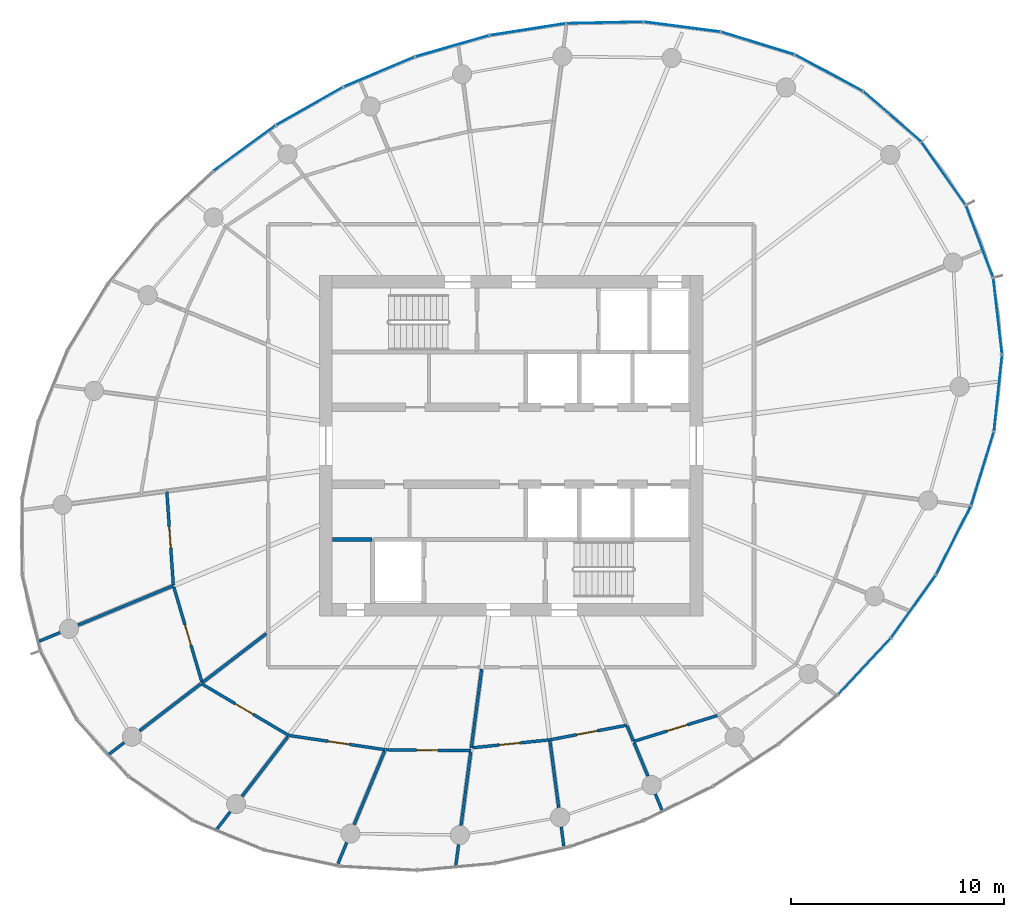
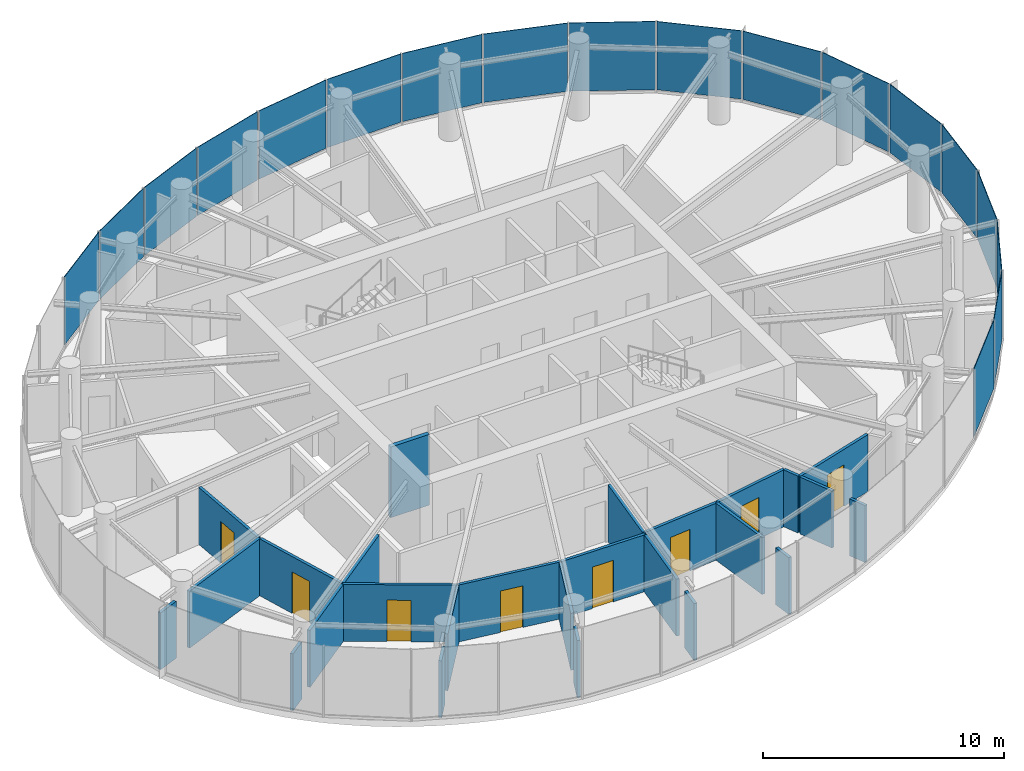
# One storey, part 8 of 13: 26 walls, 18 plates, 8 doors, 8 openings, 3 elements without a shape of their own.
"""IFC4 building model written with IfcOpenShell, lengths in metres."""

from ifc_helpers import new_model, si_unit, direction, frame, frame_2d, origin, origin_2d, place, context, subcontext, project, spatial, rectangle, extrude, source, transform, mapped, material, layer, layer_set, type_object, element, fill, aggregate, save


model = new_model("IFC4")

# Units and contexts
model_context = context("Model", 3, precision=1e-05, world=origin(), true_north=direction((0.0, 1.0)))
body_context = subcontext(model_context, "Body", "Model", "MODEL_VIEW")
ifc_project = project(units=[si_unit("LENGTHUNIT", "METRE"), si_unit("AREAUNIT", "SQUARE_METRE"), si_unit("VOLUMEUNIT", "CUBIC_METRE"), si_unit("PLANEANGLEUNIT", "RADIAN"), si_unit("MASSUNIT", "GRAM", prefix="KILO")], contexts=[model_context])

# Site, building, storey
site_placement = place(None, origin())
site = spatial("IfcSite", under=ifc_project, at=site_placement, CompositionType="ELEMENT")
building_placement = place(site_placement, origin())
building = spatial("IfcBuilding", under=site, at=building_placement, Name="Spindrift Exchange Tower", CompositionType="ELEMENT")
storey_placement = place(building_placement, frame((0.0, 0.0, 222.800048828125)))
storey = spatial("IfcBuildingStorey", under=building, at=storey_placement, Name="L54", CompositionType="ELEMENT", Elevation=222.800048828125)

# Curtain wall, plates
ifc_material_1 = material(Name="Fritted laminated glass with bronze frame", Category="glass")
ifc_layer_1 = layer(ifc_material_1, 0.169921875)
ifc_layer_set_1 = layer_set([ifc_layer_1], Name="ZONE 4 BRONZE FRITTED WALL")
curtain_wall_type = type_object("IfcCurtainWallType", Name="ZONE 4 BRONZE FRITTED WALL", PredefinedType="NOTDEFINED", material=ifc_layer_set_1)
curtain_wall_1_placement = place(storey_placement, origin())
curtain_wall_1 = element("IfcCurtainWall", 1, at=curtain_wall_1_placement, inside=storey, type_object=curtain_wall_type, Name="L54 Zone 4 Bronze Fritted Wall run 2", PredefinedType="NOTDEFINED")
ifc_material_2 = material(Name="Bronze fritted laminated glass, open frit", Category="glass")
ifc_layer_2 = layer(ifc_material_2, 0.030029296875)
ifc_layer_set_2 = layer_set([ifc_layer_2], Name="ZONE 4 BRONZE FRITTED WALL PANEL OPEN FRIT 360")
plate_type_1 = type_object("IfcPlateType", Name="ZONE 4 BRONZE FRITTED WALL PANEL OPEN FRIT 360", PredefinedType="CURTAIN_PANEL", material=ifc_layer_set_2)
shared_shape_1 = source(origin(), body_context, "Body", "SweptSolid", [
    extrude(rectangle(XDim=3.57763671875, YDim=0.030029296875, at=origin_2d()), origin(), (0.0, 0.0, 1.0), 3.455078125),
])
plate_1_placement = place(storey_placement, frame((49.23291015625, 66.762939453125, 0.125), z_axis=(0.0, 0.0, 1.0), x_axis=(-0.961045879195, -0.276388889215, 0.0)))
plate_1 = element("IfcPlate", 2, at=plate_1_placement, type_object=plate_type_1, Name="L54 panel CW-4.8", PredefinedType="CURTAIN_PANEL", context=body_context, shape_type="MappedRepresentation", body=[
    mapped(shared_shape_1, transform((0.0, 0.0, 0.0), scale=1.0)),
])
plate_2_placement = place(storey_placement, frame((39.487060546875, 61.972412109375, 0.125), z_axis=(0.0, 0.0, 1.0), x_axis=(-0.80649517079, -0.591240678145, 0.0)))
plate_2 = element("IfcPlate", 3, at=plate_2_placement, type_object=plate_type_1, Name="L54 panel CW-4.11", PredefinedType="CURTAIN_PANEL", context=body_context, shape_type="MappedRepresentation", body=[
    mapped(shared_shape_1, transform((0.0, 0.0, 0.0), scale=1.0)),
])
ifc_layer_3 = layer(ifc_material_2, 0.030029296875)
ifc_layer_set_3 = layer_set([ifc_layer_3], Name="ZONE 4 BRONZE FRITTED WALL PANEL OPEN FRIT 480")
plate_type_2 = type_object("IfcPlateType", Name="ZONE 4 BRONZE FRITTED WALL PANEL OPEN FRIT 480", PredefinedType="CURTAIN_PANEL", material=ifc_layer_set_3)
shared_shape_2 = source(origin(), body_context, "Body", "SweptSolid", [
    extrude(rectangle(XDim=3.577880859375, YDim=0.030029296875, at=origin_2d()), origin(), (0.0, 0.0, 1.0), 3.455078125),
])
plate_3_placement = place(storey_placement, frame((45.80419921875, 65.552001953125, 0.125), z_axis=(0.0, 0.0, 1.0), x_axis=(-0.921473112657, -0.388442148397, 0.0)))
plate_3 = element("IfcPlate", 4, at=plate_3_placement, type_object=plate_type_2, Name="L54 panel CW-4.9", PredefinedType="CURTAIN_PANEL", context=body_context, shape_type="MappedRepresentation", body=[
    mapped(shared_shape_2, transform((0.0, 0.0, 0.0), scale=1.0)),
])
plate_4_placement = place(storey_placement, frame((42.541015625, 63.94677734375, 0.125), z_axis=(0.0, 0.0, 1.0), x_axis=(-0.87011236791, -0.492853393222, 0.0)))
plate_4 = element("IfcPlate", 5, at=plate_4_placement, type_object=plate_type_2, Name="L54 panel CW-4.10", PredefinedType="CURTAIN_PANEL", context=body_context, shape_type="MappedRepresentation", body=[
    mapped(shared_shape_2, transform((0.0, 0.0, 0.0), scale=1.0)),
])
shared_shape_3 = source(origin(), body_context, "Body", "SweptSolid", [
    extrude(rectangle(XDim=3.577392578125, YDim=0.030029296875, at=origin_2d()), origin(), (0.0, 0.0, 1.0), 3.455078125),
])
plate_5_placement = place(storey_placement, frame((52.782470703125, 67.5478515625, 0.125), z_axis=(0.0, 0.0, 1.0), x_axis=(-0.987981997338, -0.154568990865, 0.0)))
plate_5 = element("IfcPlate", 6, at=plate_5_placement, type_object=plate_type_2, Name="L54 panel CW-4.7", PredefinedType="CURTAIN_PANEL", context=body_context, shape_type="MappedRepresentation", body=[
    mapped(shared_shape_3, transform((0.0, 0.0, 0.0), scale=1.0)),
])
aggregate(curtain_wall_1, [plate_5, plate_1, plate_3, plate_4, plate_2])

# Curtain wall, plate
curtain_wall_2_placement = place(storey_placement, origin())
curtain_wall_2 = element("IfcCurtainWall", 7, at=curtain_wall_2_placement, inside=storey, type_object=curtain_wall_type, Name="L54 Zone 4 Bronze Fritted Wall run 6", PredefinedType="NOTDEFINED")
plate_6_placement = place(storey_placement, frame((68.59423828125, 37.638427734375, 0.125), z_axis=(0.0, 0.0, 1.0), x_axis=(0.684108041714, 0.729380687476, 0.0)))
plate_6 = element("IfcPlate", 8, at=plate_6_placement, type_object=plate_type_2, Name="L54 panel CW-4.31", PredefinedType="CURTAIN_PANEL", context=body_context, shape_type="MappedRepresentation", body=[
    mapped(shared_shape_3, transform((0.0, 0.0, 0.0), scale=1.0)),
])

curtain_wall_3_placement = place(storey_placement, origin())
curtain_wall_3 = element("IfcCurtainWall", 9, at=curtain_wall_3_placement, inside=storey, type_object=curtain_wall_type, Name="L54 Zone 4 Bronze Fritted Wall run 1", PredefinedType="NOTDEFINED")
ifc_layer_4 = layer(ifc_material_2, 0.030029296875)
ifc_layer_set_4 = layer_set([ifc_layer_4], Name="ZONE 4 BRONZE FRITTED WALL PANEL OPEN FRIT 600")
plate_type_3 = type_object("IfcPlateType", Name="ZONE 4 BRONZE FRITTED WALL PANEL OPEN FRIT 600", PredefinedType="CURTAIN_PANEL", material=ifc_layer_set_4)
shared_shape_4 = source(origin(), body_context, "Body", "SweptSolid", [
    extrude(rectangle(XDim=3.5703125, YDim=0.030029296875, at=origin_2d()), origin(), (0.0, 0.0, 1.0), 3.455078125),
])
plate_7_placement = place(storey_placement, frame((72.313720703125, 60.7783203125, 0.125), z_axis=(0.0, 0.0, 1.0), x_axis=(-0.575297943062, 0.817943932497, 0.0)))
plate_7 = element("IfcPlate", 10, at=plate_7_placement, type_object=plate_type_3, Name="L54 panel CW-4.1", PredefinedType="CURTAIN_PANEL", context=body_context, shape_type="MappedRepresentation", body=[
    mapped(shared_shape_4, transform((0.0, 0.0, 0.0), scale=1.0)),
])

# Plate
plate_8_placement = place(storey_placement, frame((73.999267578125, 57.59033203125, 0.125), z_axis=(0.0, 0.0, 1.0), x_axis=(-0.351949472388, 0.93601900028, 0.0)))
plate_8 = element("IfcPlate", 11, at=plate_8_placement, type_object=plate_type_3, Name="L54 panel CW-4.37", PredefinedType="CURTAIN_PANEL", context=body_context, shape_type="MappedRepresentation", body=[
    mapped(shared_shape_4, transform((0.0, 0.0, 0.0), scale=1.0)),
])

shared_shape_5 = source(origin(), body_context, "Body", "SweptSolid", [
    extrude(rectangle(XDim=3.5732421875, YDim=0.030029296875, at=origin_2d()), origin(), (0.0, 0.0, 1.0), 3.455078125),
])
plate_9_placement = place(storey_placement, frame((66.916015625, 65.505615234375, 0.125), z_axis=(0.0, 0.0, 1.0), x_axis=(-0.881229213092, 0.472689193861, 0.0)))
plate_9 = element("IfcPlate", 12, at=plate_9_placement, type_object=plate_type_2, Name="L54 panel CW-4.3", PredefinedType="CURTAIN_PANEL", context=body_context, shape_type="MappedRepresentation", body=[
    mapped(shared_shape_5, transform((0.0, 0.0, 0.0), scale=1.0)),
])

shared_shape_6 = source(origin(), body_context, "Body", "SweptSolid", [
    extrude(rectangle(XDim=3.574951171875, YDim=0.030029296875, at=origin_2d()), origin(), (0.0, 0.0, 1.0), 3.455078125),
])
plate_10_placement = place(storey_placement, frame((63.5732421875, 66.900390625, 0.125), z_axis=(0.0, 0.0, 1.0), x_axis=(-0.955850474621, 0.293853484183, 0.0)))
plate_10 = element("IfcPlate", 13, at=plate_10_placement, type_object=plate_type_1, Name="L54 panel CW-4.4", PredefinedType="CURTAIN_PANEL", context=body_context, shape_type="MappedRepresentation", body=[
    mapped(shared_shape_6, transform((0.0, 0.0, 0.0), scale=1.0)),
])

plate_11_placement = place(storey_placement, frame((74.135986328125, 46.920166015625, 0.125), z_axis=(0.0, 0.0, 1.0), x_axis=(0.295472955279, 0.955351104411, 0.0)))
plate_11 = element("IfcPlate", 14, at=plate_11_placement, type_object=plate_type_1, Name="L54 panel CW-4.34", PredefinedType="CURTAIN_PANEL", context=body_context, shape_type="MappedRepresentation", body=[
    mapped(shared_shape_6, transform((0.0, 0.0, 0.0), scale=1.0)),
])

shared_shape_7 = source(origin(), body_context, "Body", "SweptSolid", [
    extrude(rectangle(XDim=3.576171875, YDim=0.030029296875, at=origin_2d()), origin(), (0.0, 0.0, 1.0), 3.455078125),
])
plate_12_placement = place(storey_placement, frame((60.0283203125, 67.66943359375, 0.125), z_axis=(0.0, 0.0, 1.0), x_axis=(-0.99169093227, 0.128643285302, 0.0)))
plate_12 = element("IfcPlate", 15, at=plate_12_placement, type_object=plate_type_3, Name="L54 panel CW-4.5", PredefinedType="CURTAIN_PANEL", context=body_context, shape_type="MappedRepresentation", body=[
    mapped(shared_shape_7, transform((0.0, 0.0, 0.0), scale=1.0)),
])

shared_shape_8 = source(origin(), body_context, "Body", "SweptSolid", [
    extrude(rectangle(XDim=3.576904296875, YDim=0.030029296875, at=origin_2d()), origin(), (0.0, 0.0, 1.0), 3.455078125),
])
plate_13_placement = place(storey_placement, frame((56.40234375, 67.866455078125, 0.125), z_axis=(0.0, 0.0, 1.0), x_axis=(-0.999791868077, -0.020401483438, 0.0)))
plate_13 = element("IfcPlate", 16, at=plate_13_placement, type_object=plate_type_3, Name="L54 panel CW-4.6", PredefinedType="CURTAIN_PANEL", context=body_context, shape_type="MappedRepresentation", body=[
    mapped(shared_shape_8, transform((0.0, 0.0, 0.0), scale=1.0)),
])

shared_shape_9 = source(origin(), body_context, "Body", "SweptSolid", [
    extrude(rectangle(XDim=3.576904296875, YDim=0.030029296875, at=origin_2d()), origin(), (0.0, 0.0, 1.0), 3.455078125),
])
plate_14_placement = place(storey_placement, frame((70.89599609375, 40.4501953125, 0.125), z_axis=(0.0, 0.0, 1.0), x_axis=(0.579862895254, 0.814714074205, 0.0)))
plate_14 = element("IfcPlate", 17, at=plate_14_placement, type_object=plate_type_2, Name="L54 panel CW-4.32", PredefinedType="CURTAIN_PANEL", context=body_context, shape_type="MappedRepresentation", body=[
    mapped(shared_shape_9, transform((0.0, 0.0, 0.0), scale=1.0)),
])

shared_shape_10 = source(origin(), body_context, "Body", "SweptSolid", [
    extrude(rectangle(XDim=3.571533203125, YDim=0.030029296875, at=origin_2d()), origin(), (0.0, 0.0, 1.0), 3.455078125),
])
plate_15_placement = place(storey_placement, frame((69.8935546875, 63.45556640625, 0.125), z_axis=(0.0, 0.0, 1.0), x_axis=(-0.75594259575, 0.654637909023, 0.0)))
plate_15 = element("IfcPlate", 18, at=plate_15_placement, type_object=plate_type_3, Name="L54 panel CW-4.2", PredefinedType="CURTAIN_PANEL", context=body_context, shape_type="MappedRepresentation", body=[
    mapped(shared_shape_10, transform((0.0, 0.0, 0.0), scale=1.0)),
])

aggregate(curtain_wall_3, [plate_7, plate_15, plate_9, plate_10, plate_12, plate_13])

plate_16_placement = place(storey_placement, frame((74.848388671875, 54.0830078125, 0.125), z_axis=(0.0, 0.0, 1.0), x_axis=(-0.115247488374, 0.993336809156, 0.0)))
plate_16 = element("IfcPlate", 19, at=plate_16_placement, type_object=plate_type_3, Name="L54 panel CW-4.36", PredefinedType="CURTAIN_PANEL", context=body_context, shape_type="MappedRepresentation", body=[
    mapped(shared_shape_10, transform((0.0, 0.0, 0.0), scale=1.0)),
])

shared_shape_11 = source(origin(), body_context, "Body", "SweptSolid", [
    extrude(rectangle(XDim=3.575927734375, YDim=0.030029296875, at=origin_2d()), origin(), (0.0, 0.0, 1.0), 3.455078125),
])
plate_17_placement = place(storey_placement, frame((72.77490234375, 43.5576171875, 0.125), z_axis=(0.0, 0.0, 1.0), x_axis=(0.452149850342, 0.891941989614, 0.0)))
plate_17 = element("IfcPlate", 20, at=plate_17_placement, type_object=plate_type_3, Name="L54 panel CW-4.33", PredefinedType="CURTAIN_PANEL", context=body_context, shape_type="MappedRepresentation", body=[
    mapped(shared_shape_11, transform((0.0, 0.0, 0.0), scale=1.0)),
])

shared_shape_12 = source(origin(), body_context, "Body", "SweptSolid", [
    extrude(rectangle(XDim=3.573486328125, YDim=0.030029296875, at=origin_2d()), origin(), (0.0, 0.0, 1.0), 3.455078125),
])
plate_18_placement = place(storey_placement, frame((74.86572265625, 50.4677734375, 0.125), z_axis=(0.0, 0.0, 1.0), x_axis=(0.105625404929, 0.994405990445, 0.0)))
plate_18 = element("IfcPlate", 21, at=plate_18_placement, type_object=plate_type_2, Name="L54 panel CW-4.35", PredefinedType="CURTAIN_PANEL", context=body_context, shape_type="MappedRepresentation", body=[
    mapped(shared_shape_12, transform((0.0, 0.0, 0.0), scale=1.0)),
])

aggregate(curtain_wall_2, [plate_6, plate_14, plate_17, plate_11, plate_18, plate_16, plate_8])

# Wall
ifc_material_3 = material(Name="Fire-rated plasterboard partition", Category="gypsum")
ifc_layer_5 = layer(ifc_material_3, 0.139892578125)
ifc_layer_set_5 = layer_set([ifc_layer_5], Name="W-PART-140")
wall_type_1 = type_object("IfcWallType", Name="W-PART-140", PredefinedType="PARTITIONING", material=ifc_layer_set_5)
wall_1_placement = place(storey_placement, frame((36.14453125, 41.4326171875, 0.0), z_axis=(0.0, 0.0, 1.0), x_axis=(-0.92386639671, -0.382715143454, 0.0)))
element("IfcWall", 22, at=wall_1_placement, inside=storey, type_object=wall_type_1, Name="L54 Partition wall 34", PredefinedType="PARTITIONING", context=body_context, shape_type="SweptSolid", body=[
    extrude(rectangle(XDim=4.84619140625, YDim=0.139892578125, at=frame_2d((2.423095703125, 0.0))), origin(), (0.0, 0.0, 1.0), 2.8798828125),
])

# Wall, opening, door
wall_2_placement = place(storey_placement, frame((41.563232421875, 34.398681640625, 0.0), z_axis=(0.0, 0.0, 1.0), x_axis=(-0.860189471965, 0.509974580072, 0.0)))
wall_2 = element("IfcWall", 23, at=wall_2_placement, inside=storey, type_object=wall_type_1, Name="L54 Partition wall 36", PredefinedType="PARTITIONING", context=body_context, shape_type="SweptSolid", body=[
    extrude(rectangle(XDim=4.780029296875, YDim=0.139892578125, at=frame_2d((2.39013671875, 0.0))), origin(), (0.0, 0.0, 1.0), 2.8798828125),
])
opening_1_placement = place(wall_2_placement, frame((1.930419921875, 0.0, 0.0)))
opening_1 = element("IfcOpeningElement", 24, at=opening_1_placement, cuts=wall_2, Name="Opening L54-D28", PredefinedType="OPENING", context=body_context, shape_type="SweptSolid", body=[
    extrude(rectangle(XDim=1.0, YDim=2.10009765625, at=frame_2d((0.5, 1.050048828125))), frame((0.0, 0.079833984375, 0.0), z_axis=(0.0, -1.0, 0.0), x_axis=(1.0, 0.0, 0.0)), (0.0, 0.0, 1.0), 0.159912109375),
])
ifc_material_4 = material(Name="Timber-core fire door", Category="wood")
door_type = type_object("IfcDoorType", Name="DR-ROOM-1000", OperationType="NOTDEFINED", PredefinedType="DOOR", material=ifc_material_4)
shared_shape_13 = source(origin(), body_context, "Body", "SweptSolid", [
    extrude(rectangle(XDim=1.0, YDim=2.10009765625, at=frame_2d((0.5, 1.050048828125))), frame((0.0, 0.02490234375, 0.0), z_axis=(0.0, -1.0, 0.0), x_axis=(1.0, 0.0, 0.0)), (0.0, 0.0, 1.0), 0.050048828125),
])
door_1_placement = place(opening_1_placement, origin())
door_1 = element("IfcDoor", 25, at=door_1_placement, inside=storey, type_object=door_type, Name="L54 Door 28", OperationType="SINGLE_SWING_RIGHT", OverallHeight=2.10009765625, OverallWidth=1.0, PredefinedType="DOOR", context=body_context, shape_type="MappedRepresentation", body=[
    mapped(shared_shape_13, transform((0.0, 0.0, 0.0), scale=1.0)),
])
fill(opening_1, door_1)

wall_3_placement = place(storey_placement, frame((37.48583984375, 36.894775390625, 0.0), z_axis=(0.0, 0.0, 1.0), x_axis=(-0.283453427103, 0.958986003372, 0.0)))
wall_3 = element("IfcWall", 26, at=wall_3_placement, inside=storey, type_object=wall_type_1, Name="L54 Partition wall 37", PredefinedType="PARTITIONING", context=body_context, shape_type="SweptSolid", body=[
    extrude(rectangle(XDim=4.661376953125, YDim=0.139892578125, at=frame_2d((2.33056640625, 0.0))), origin(), (0.0, 0.0, 1.0), 2.8798828125),
])
opening_2_placement = place(wall_3_placement, frame((1.8115234375, 0.0, 0.0)))
opening_2 = element("IfcOpeningElement", 27, at=opening_2_placement, cuts=wall_3, Name="Opening L54-D26", PredefinedType="OPENING", context=body_context, shape_type="SweptSolid", body=[
    extrude(rectangle(XDim=1.0, YDim=2.10009765625, at=frame_2d((0.5, 1.050048828125))), frame((0.0, 0.079833984375, 0.0), z_axis=(0.0, -1.0, 0.0), x_axis=(1.0, 0.0, 0.0)), (0.0, 0.0, 1.0), 0.159912109375),
])
door_2_placement = place(opening_2_placement, origin())
door_2 = element("IfcDoor", 28, at=door_2_placement, inside=storey, type_object=door_type, Name="L54 Door 26", OperationType="SINGLE_SWING_RIGHT", OverallHeight=2.10009765625, OverallWidth=1.0, PredefinedType="DOOR", context=body_context, shape_type="MappedRepresentation", body=[
    mapped(shared_shape_13, transform((0.0, 0.0, 0.0), scale=1.0)),
])
fill(opening_2, door_2)

wall_4_placement = place(storey_placement, frame((46.088623046875, 33.728515625, 0.0), z_axis=(0.0, 0.0, 1.0), x_axis=(-0.989211248642, 0.146496094007, 0.0)))
wall_4 = element("IfcWall", 29, at=wall_4_placement, inside=storey, type_object=wall_type_1, Name="L54 Partition wall 38", PredefinedType="PARTITIONING", context=body_context, shape_type="SweptSolid", body=[
    extrude(rectangle(XDim=4.544677734375, YDim=0.139892578125, at=frame_2d((2.2724609375, 0.0))), origin(), (0.0, 0.0, 1.0), 2.8798828125),
])
opening_3_placement = place(wall_4_placement, frame((1.694580078125, 0.0, 0.0)))
opening_3 = element("IfcOpeningElement", 30, at=opening_3_placement, cuts=wall_4, Name="Opening L54-D29", PredefinedType="OPENING", context=body_context, shape_type="SweptSolid", body=[
    extrude(rectangle(XDim=1.0, YDim=2.10009765625, at=frame_2d((0.5, 1.050048828125))), frame((0.0, 0.079833984375, 0.0), z_axis=(0.0, -1.0, 0.0), x_axis=(1.0, 0.0, 0.0)), (0.0, 0.0, 1.0), 0.159912109375),
])
door_3_placement = place(opening_3_placement, origin())
door_3 = element("IfcDoor", 31, at=door_3_placement, inside=storey, type_object=door_type, Name="L54 Door 29", OperationType="SINGLE_SWING_LEFT", OverallHeight=2.10009765625, OverallWidth=1.0, PredefinedType="DOOR", context=body_context, shape_type="MappedRepresentation", body=[
    mapped(shared_shape_13, transform((0.0, 0.0, 0.0), scale=1.0)),
])
fill(opening_3, door_3)

wall_5_placement = place(storey_placement, frame((36.142578125, 41.46240234375, 0.0), z_axis=(0.0, 0.0, 1.0), x_axis=(-0.069626577794, 0.997573124971, 0.0)))
wall_5 = element("IfcWall", 32, at=wall_5_placement, inside=storey, type_object=wall_type_1, Name="L54 Partition wall 40", PredefinedType="PARTITIONING", context=body_context, shape_type="SweptSolid", body=[
    extrude(rectangle(XDim=4.39013671875, YDim=0.139892578125, at=frame_2d((2.195068359375, 0.0))), origin(), (0.0, 0.0, 1.0), 2.8798828125),
])
opening_4_placement = place(wall_5_placement, frame((1.740234375, 0.0, 0.0)))
opening_4 = element("IfcOpeningElement", 33, at=opening_4_placement, cuts=wall_5, Name="Opening L54-D25", PredefinedType="OPENING", context=body_context, shape_type="SweptSolid", body=[
    extrude(rectangle(XDim=1.0, YDim=2.10009765625, at=frame_2d((0.5, 1.050048828125))), frame((0.0, 0.079833984375, 0.0), z_axis=(0.0, -1.0, 0.0), x_axis=(1.0, 0.0, 0.0)), (0.0, 0.0, 1.0), 0.159912109375),
])
door_4_placement = place(opening_4_placement, origin())
door_4 = element("IfcDoor", 34, at=door_4_placement, inside=storey, type_object=door_type, Name="L54 Door 25", OperationType="SINGLE_SWING_LEFT", OverallHeight=2.10009765625, OverallWidth=1.0, PredefinedType="DOOR", context=body_context, shape_type="MappedRepresentation", body=[
    mapped(shared_shape_13, transform((0.0, 0.0, 0.0), scale=1.0)),
])
fill(opening_4, door_4)

wall_6_placement = place(storey_placement, frame((61.683837890625, 35.33349609375, 0.0), z_axis=(0.0, 0.0, 1.0), x_axis=(-0.955326560437, -0.295552301503, 0.0)))
wall_6 = element("IfcWall", 35, at=wall_6_placement, inside=storey, type_object=wall_type_1, Name="L54 Partition wall 48", PredefinedType="PARTITIONING", context=body_context, shape_type="SweptSolid", body=[
    extrude(rectangle(XDim=4.116943359375, YDim=0.139892578125, at=frame_2d((2.05859375, 0.0))), origin(), (0.0, 0.0, 1.0), 2.8798828125),
])
opening_5_placement = place(wall_6_placement, frame((1.46728515625, 0.0, 0.0)))
opening_5 = element("IfcOpeningElement", 36, at=opening_5_placement, cuts=wall_6, Name="Opening L54-D35", PredefinedType="OPENING", context=body_context, shape_type="SweptSolid", body=[
    extrude(rectangle(XDim=1.0, YDim=2.10009765625, at=frame_2d((0.5, 1.050048828125))), frame((0.0, 0.079833984375, 0.0), z_axis=(0.0, -1.0, 0.0), x_axis=(1.0, 0.0, 0.0)), (0.0, 0.0, 1.0), 0.159912109375),
])
door_5_placement = place(opening_5_placement, origin())
door_5 = element("IfcDoor", 37, at=door_5_placement, inside=storey, type_object=door_type, Name="L54 Door 35", OperationType="SINGLE_SWING_LEFT", OverallHeight=2.10009765625, OverallWidth=1.0, PredefinedType="DOOR", context=body_context, shape_type="MappedRepresentation", body=[
    mapped(shared_shape_13, transform((0.0, 0.0, 0.0), scale=1.0)),
])
fill(opening_5, door_5)

wall_7_placement = place(storey_placement, frame((50.115478515625, 33.685791015625, 0.0), z_axis=(0.0, 0.0, 1.0), x_axis=(-0.999943521742, 0.010627950204, 0.0)))
wall_7 = element("IfcWall", 38, at=wall_7_placement, inside=storey, type_object=wall_type_1, Name="L54 Partition wall 50", PredefinedType="PARTITIONING", context=body_context, shape_type="SweptSolid", body=[
    extrude(rectangle(XDim=3.9970703125, YDim=0.139892578125, at=frame_2d((1.99853515625, 0.0))), origin(), (0.0, 0.0, 1.0), 2.8798828125),
])
opening_6_placement = place(wall_7_placement, frame((1.547119140625, 0.0, 0.0)))
opening_6 = element("IfcOpeningElement", 39, at=opening_6_placement, cuts=wall_7, Name="Opening L54-D30", PredefinedType="OPENING", context=body_context, shape_type="SweptSolid", body=[
    extrude(rectangle(XDim=1.0, YDim=2.10009765625, at=frame_2d((0.5, 1.050048828125))), frame((0.0, 0.079833984375, 0.0), z_axis=(0.0, -1.0, 0.0), x_axis=(1.0, 0.0, 0.0)), (0.0, 0.0, 1.0), 0.159912109375),
])
door_6_placement = place(opening_6_placement, origin())
door_6 = element("IfcDoor", 40, at=door_6_placement, inside=storey, type_object=door_type, Name="L54 Door 30", OperationType="SINGLE_SWING_RIGHT", OverallHeight=2.10009765625, OverallWidth=1.0, PredefinedType="DOOR", context=body_context, shape_type="MappedRepresentation", body=[
    mapped(shared_shape_13, transform((0.0, 0.0, 0.0), scale=1.0)),
])
fill(opening_6, door_6)

# Walls
wall_8_placement = place(storey_placement, frame((40.510009765625, 39.183349609375, 0.0), z_axis=(0.0, 0.0, 1.0), x_axis=(-0.793338419563, -0.608780873587, 0.0)))
element("IfcWall", 41, at=wall_8_placement, inside=storey, type_object=wall_type_1, Name="L54 Partition wall 52", PredefinedType="PARTITIONING", context=body_context, shape_type="SweptSolid", body=[
    extrude(rectangle(XDim=3.77001953125, YDim=0.139892578125, at=frame_2d((1.885009765625, 0.0))), origin(), (0.0, 0.0, 1.0), 2.8798828125),
])
wall_9_placement = place(storey_placement, frame((50.618896484375, 37.510009765625, 0.0), z_axis=(0.0, 0.0, 1.0), x_axis=(-0.130537532736, -0.991443368301, 0.0)))
element("IfcWall", 42, at=wall_9_placement, inside=storey, type_object=wall_type_1, Name="L54 Partition wall 54", PredefinedType="PARTITIONING", context=body_context, shape_type="SweptSolid", body=[
    extrude(rectangle(XDim=3.7275390625, YDim=0.139892578125, at=frame_2d((1.86376953125, 0.0))), origin(), (0.0, 0.0, 1.0), 2.8798828125),
])
wall_10_placement = place(storey_placement, frame((46.06103515625, 33.661865234375, 0.0), z_axis=(0.0, 0.0, 1.0), x_axis=(-0.382721202621, -0.923863886655, 0.0)))
element("IfcWall", 43, at=wall_10_placement, inside=storey, type_object=wall_type_1, Name="L54 Partition wall 55", PredefinedType="PARTITIONING", context=body_context, shape_type="SweptSolid", body=[
    extrude(rectangle(XDim=3.735595703125, YDim=0.139892578125, at=frame_2d((1.86767578125, 0.0))), origin(), (0.0, 0.0, 1.0), 2.8798828125),
])

# Wall, opening, door
wall_11_placement = place(storey_placement, frame((53.81787109375, 34.192626953125, 0.0), z_axis=(0.0, 0.0, 1.0), x_axis=(-0.994782487968, -0.102018633748, 0.0)))
wall_11 = element("IfcWall", 44, at=wall_11_placement, inside=storey, type_object=wall_type_1, Name="L54 Partition wall 56", PredefinedType="PARTITIONING", context=body_context, shape_type="SweptSolid", body=[
    extrude(rectangle(XDim=3.6328125, YDim=0.139892578125, at=frame_2d((1.81640625, 0.0))), origin(), (0.0, 0.0, 1.0), 2.8798828125),
])
opening_7_placement = place(wall_11_placement, frame((1.3828125, 0.0, 0.0)))
opening_7 = element("IfcOpeningElement", 45, at=opening_7_placement, cuts=wall_11, Name="Opening L54-D32", PredefinedType="OPENING", context=body_context, shape_type="SweptSolid", body=[
    extrude(rectangle(XDim=1.0, YDim=2.10009765625, at=frame_2d((0.5, 1.050048828125))), frame((0.0, 0.079833984375, 0.0), z_axis=(0.0, -1.0, 0.0), x_axis=(1.0, 0.0, 0.0)), (0.0, 0.0, 1.0), 0.159912109375),
])
door_7_placement = place(opening_7_placement, origin())
door_7 = element("IfcDoor", 46, at=door_7_placement, inside=storey, type_object=door_type, Name="L54 Door 32", OperationType="SINGLE_SWING_RIGHT", OverallHeight=2.10009765625, OverallWidth=1.0, PredefinedType="DOOR", context=body_context, shape_type="MappedRepresentation", body=[
    mapped(shared_shape_13, transform((0.0, 0.0, 0.0), scale=1.0)),
])
fill(opening_7, door_7)

wall_12_placement = place(storey_placement, frame((57.434814453125, 34.879150390625, 0.0), z_axis=(0.0, 0.0, 1.0), x_axis=(-0.982461825638, -0.186463833393, 0.0)))
wall_12 = element("IfcWall", 47, at=wall_12_placement, inside=storey, type_object=wall_type_1, Name="L54 Partition wall 57", PredefinedType="PARTITIONING", context=body_context, shape_type="SweptSolid", body=[
    extrude(rectangle(XDim=3.651611328125, YDim=0.139892578125, at=frame_2d((1.82568359375, 0.0))), origin(), (0.0, 0.0, 1.0), 2.8798828125),
])
opening_8_placement = place(wall_12_placement, frame((1.401611328125, 0.0, 0.0)))
opening_8 = element("IfcOpeningElement", 48, at=opening_8_placement, cuts=wall_12, Name="Opening L54-D33", PredefinedType="OPENING", context=body_context, shape_type="SweptSolid", body=[
    extrude(rectangle(XDim=1.0, YDim=2.10009765625, at=frame_2d((0.5, 1.050048828125))), frame((0.0, 0.079833984375, 0.0), z_axis=(0.0, -1.0, 0.0), x_axis=(1.0, 0.0, 0.0)), (0.0, 0.0, 1.0), 0.159912109375),
])
door_8_placement = place(opening_8_placement, origin())
door_8 = element("IfcDoor", 49, at=door_8_placement, inside=storey, type_object=door_type, Name="L54 Door 33", OperationType="SINGLE_SWING_LEFT", OverallHeight=2.10009765625, OverallWidth=1.0, PredefinedType="DOOR", context=body_context, shape_type="MappedRepresentation", body=[
    mapped(shared_shape_13, transform((0.0, 0.0, 0.0), scale=1.0)),
])
fill(opening_8, door_8)

# Walls
wall_13_placement = place(storey_placement, frame((37.427490234375, 36.818115234375, 0.0), z_axis=(0.0, 0.0, 1.0), x_axis=(-0.793348756972, -0.608767402061, 0.0)))
element("IfcWall", 50, at=wall_13_placement, inside=storey, type_object=wall_type_1, Name="L54 Partition wall 58", PredefinedType="PARTITIONING", context=body_context, shape_type="SweptSolid", body=[
    extrude(rectangle(XDim=3.6162109375, YDim=0.139892578125, at=frame_2d((1.80810546875, 0.0))), origin(), (0.0, 0.0, 1.0), 2.8798828125),
])
wall_14_placement = place(storey_placement, frame((41.5205078125, 34.3427734375, 0.0), z_axis=(0.0, 0.0, 1.0), x_axis=(-0.608779373124, -0.793339570965, 0.0)))
element("IfcWall", 51, at=wall_14_placement, inside=storey, type_object=wall_type_1, Name="L54 Partition wall 59", PredefinedType="PARTITIONING", context=body_context, shape_type="SweptSolid", body=[
    extrude(rectangle(XDim=3.535888671875, YDim=0.139892578125, at=frame_2d((1.76806640625, 0.0))), origin(), (0.0, 0.0, 1.0), 2.8798828125),
])
wall_15_placement = place(storey_placement, frame((50.106201171875, 33.615966796875, 0.0), z_axis=(0.0, 0.0, 1.0), x_axis=(-0.130529061056, -0.99144448368, 0.0)))
element("IfcWall", 52, at=wall_15_placement, inside=storey, type_object=wall_type_1, Name="L54 Partition wall 60", PredefinedType="PARTITIONING", context=body_context, shape_type="SweptSolid", body=[
    extrude(rectangle(XDim=3.473388671875, YDim=0.139892578125, at=frame_2d((1.73681640625, 0.0))), origin(), (0.0, 0.0, 1.0), 2.8798828125),
])
wall_16_placement = place(storey_placement, frame((53.82177734375, 34.1630859375, 0.0), z_axis=(0.0, 0.0, 1.0), x_axis=(0.130500157764, -0.991448288527, 0.0)))
element("IfcWall", 53, at=wall_16_placement, inside=storey, type_object=wall_type_1, Name="L54 Partition wall 62", PredefinedType="PARTITIONING", context=body_context, shape_type="SweptSolid", body=[
    extrude(rectangle(XDim=3.18212890625, YDim=0.139892578125, at=frame_2d((1.591064453125, 0.0))), origin(), (0.0, 0.0, 1.0), 2.8798828125),
])
wall_17_placement = place(storey_placement, frame((57.777587890625, 34.0517578125, 0.0), z_axis=(0.0, 0.0, 1.0), x_axis=(0.382636491463, -0.923898974672, 0.0)))
element("IfcWall", 54, at=wall_17_placement, inside=storey, type_object=wall_type_1, Name="L54 Partition wall 72", PredefinedType="PARTITIONING", context=body_context, shape_type="SweptSolid", body=[
    extrude(rectangle(XDim=1.69140625, YDim=0.139892578125, at=frame_2d((0.845703125, 0.0))), origin(), (0.0, 0.0, 1.0), 2.8798828125),
])
wall_18_placement = place(storey_placement, frame((44.283203125, 29.369873046875, 0.0), z_axis=(0.0, 0.0, 1.0), x_axis=(-0.38278209882, -0.923838657355, 0.0)))
element("IfcWall", 55, at=wall_18_placement, inside=storey, type_object=wall_type_1, Name="L54 Partition wall 82", PredefinedType="PARTITIONING", context=body_context, shape_type="SweptSolid", body=[
    extrude(rectangle(XDim=1.06884765625, YDim=0.139892578125, at=frame_2d((0.534423828125, 0.0))), origin(), (0.0, 0.0, 1.0), 2.8798828125),
])
wall_19_placement = place(storey_placement, frame((30.826416015625, 39.229736328125, 0.0), z_axis=(0.0, 0.0, 1.0), x_axis=(-0.92384548676, -0.382765615741, 0.0)))
element("IfcWall", 56, at=wall_19_placement, inside=storey, type_object=wall_type_1, Name="L54 Partition wall 84", PredefinedType="PARTITIONING", context=body_context, shape_type="SweptSolid", body=[
    extrude(rectangle(XDim=1.059326171875, YDim=0.139892578125, at=frame_2d((0.52978515625, 0.0))), origin(), (0.0, 0.0, 1.0), 2.8798828125),
])
wall_20_placement = place(storey_placement, frame((38.814453125, 30.81640625, 0.0), z_axis=(0.0, 0.0, 1.0), x_axis=(-0.608795123467, -0.793327484487, 0.0)))
element("IfcWall", 57, at=wall_20_placement, inside=storey, type_object=wall_type_1, Name="L54 Partition wall 85", PredefinedType="PARTITIONING", context=body_context, shape_type="SweptSolid", body=[
    extrude(rectangle(XDim=1.05712890625, YDim=0.139892578125, at=frame_2d((0.528564453125, 0.0))), origin(), (0.0, 0.0, 1.0), 2.8798828125),
])
wall_21_placement = place(storey_placement, frame((49.5341796875, 29.27099609375, 0.0), z_axis=(0.0, 0.0, 1.0), x_axis=(-0.130498763634, -0.99144847203, 0.0)))
element("IfcWall", 58, at=wall_21_placement, inside=storey, type_object=wall_type_1, Name="L54 Partition wall 87", PredefinedType="PARTITIONING", context=body_context, shape_type="SweptSolid", body=[
    extrude(rectangle(XDim=0.9990234375, YDim=0.139892578125, at=frame_2d((0.49951171875, 0.0))), origin(), (0.0, 0.0, 1.0), 2.8798828125),
])
wall_22_placement = place(storey_placement, frame((33.83740234375, 34.063232421875, 0.0), z_axis=(0.0, 0.0, 1.0), x_axis=(-0.793495956677, -0.608575522624, 0.0)))
element("IfcWall", 59, at=wall_22_placement, inside=storey, type_object=wall_type_1, Name="L54 Partition wall 88", PredefinedType="PARTITIONING", context=body_context, shape_type="SweptSolid", body=[
    extrude(rectangle(XDim=0.925537109375, YDim=0.139892578125, at=frame_2d((0.462890625, 0.0))), origin(), (0.0, 0.0, 1.0), 2.8798828125),
])
wall_23_placement = place(storey_placement, frame((54.355712890625, 30.10693359375, 0.0), z_axis=(0.0, 0.0, 1.0), x_axis=(0.130552399509, -0.991441410766, 0.0)))
element("IfcWall", 60, at=wall_23_placement, inside=storey, type_object=wall_type_1, Name="L54 Partition wall 89", PredefinedType="PARTITIONING", context=body_context, shape_type="SweptSolid", body=[
    extrude(rectangle(XDim=0.9033203125, YDim=0.139892578125, at=frame_2d((0.45166015625, 0.0))), origin(), (0.0, 0.0, 1.0), 2.8798828125),
])
wall_24_placement = place(storey_placement, frame((57.4462890625, 34.851318359375, 0.0), z_axis=(0.0, 0.0, 1.0), x_axis=(0.382802560388, -0.92383017907, 0.0)))
element("IfcWall", 61, at=wall_24_placement, inside=storey, type_object=wall_type_1, Name="L54 Partition wall 94", PredefinedType="PARTITIONING", context=body_context, shape_type="SweptSolid", body=[
    extrude(rectangle(XDim=0.765380859375, YDim=0.139892578125, at=frame_2d((0.3828125, 0.0))), origin(), (0.0, 0.0, 1.0), 2.8798828125),
])
wall_25_placement = place(storey_placement, frame((58.773193359375, 31.648193359375, 0.0), z_axis=(0.0, 0.0, 1.0), x_axis=(0.382556243331, -0.923932205678, 0.0)))
element("IfcWall", 62, at=wall_25_placement, inside=storey, type_object=wall_type_1, Name="L54 Partition wall 96", PredefinedType="PARTITIONING", context=body_context, shape_type="SweptSolid", body=[
    extrude(rectangle(XDim=0.80859375, YDim=0.139892578125, at=frame_2d((0.404296875, 0.0))), origin(), (0.0, 0.0, 1.0), 2.8798828125),
])
ifc_material_5 = material(Name="Concrete 40 MPa", Category="concrete")
ifc_layer_6 = layer(ifc_material_5, 0.199951171875)
ifc_layer_set_6 = layer_set([ifc_layer_6], Name="W-SHAFT-200")
wall_type_2 = type_object("IfcWallType", Name="W-SHAFT-200", PredefinedType="SOLIDWALL", material=ifc_layer_set_6)
wall_26_placement = place(storey_placement, frame((45.469970703125, 43.60009765625, 0.0), z_axis=(0.0, 0.0, 1.0), x_axis=(-1.0, 0.0, 0.0)))
element("IfcWall", 63, at=wall_26_placement, inside=storey, type_object=wall_type_2, Name="L54 Shaft wall 20", PredefinedType="SOLIDWALL", context=body_context, shape_type="SweptSolid", body=[
    extrude(rectangle(XDim=1.849853515625, YDim=0.199951171875, at=frame_2d((0.9248046875, 0.0))), origin(), (0.0, 0.0, 1.0), 3.579833984375),
])

save(model, "model.ifc")
